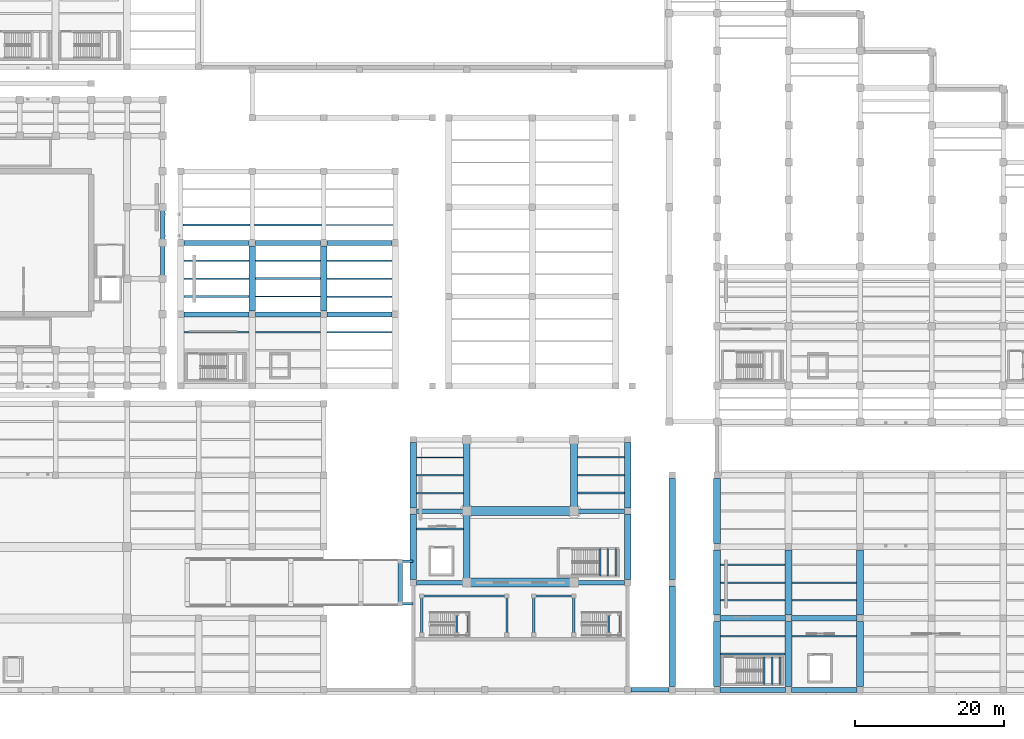
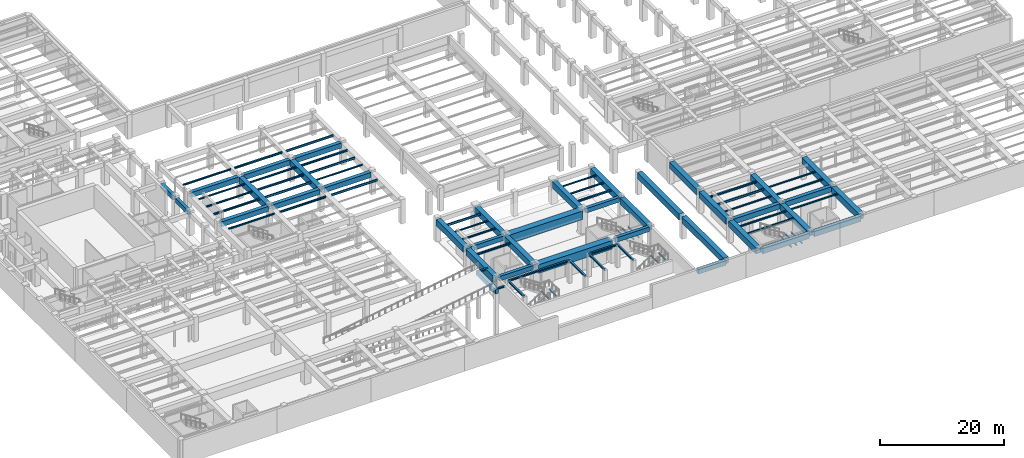
# One storey, part 16 of 45: 86 beams.
"""IFC4 building model written with IfcOpenShell, lengths in metres."""

from ifc_helpers import new_model, si_unit, direction, frame, origin, origin_2d, place, context, subcontext, project, spatial, rectangle, i_section, extrude, material, material_profile, profile_set, type_object, element, save


model = new_model("IFC4")

# Units and contexts
model_context = context("Model", 3, precision=1e-05, world=origin(), true_north=direction((0.0, 1.0)))
body_context = subcontext(model_context, "Body", "Model", "MODEL_VIEW")
ifc_project = project(units=[si_unit("LENGTHUNIT", "METRE"), si_unit("AREAUNIT", "SQUARE_METRE"), si_unit("VOLUMEUNIT", "CUBIC_METRE"), si_unit("PLANEANGLEUNIT", "RADIAN"), si_unit("MASSUNIT", "GRAM", prefix="KILO")], contexts=[model_context])

# Site, building, storey
site_placement = place(None, origin())
site = spatial("IfcSite", under=ifc_project, at=site_placement, CompositionType="ELEMENT")
building_placement = place(site_placement, origin())
building = spatial("IfcBuilding", under=site, at=building_placement, Name="Mavantir Sound Aquarium", CompositionType="ELEMENT")
storey_placement = place(building_placement, frame((0.0, 0.0, -4.800048828125)))
storey = spatial("IfcBuildingStorey", under=building, at=storey_placement, Name="B1", CompositionType="ELEMENT", Elevation=-4.800048828125)

# Beams
ifc_material_1 = material(Name="Concrete C40/50", Category="concrete")
ifc_material_profile_1 = material_profile(ifc_material_1, rectangle(XDim=0.60009765625, YDim=0.89990234375, at=origin_2d()), Name="RC 600X900")
ifc_profile_set_1 = profile_set([ifc_material_profile_1], Name="Concrete C40/50")
beam_type_1 = type_object("IfcBeamType", Name="BM-RC600X900-E", PredefinedType="BEAM", material=ifc_profile_set_1)
for number, where, z_axis, x_axis, name in (
    (1, (33.60009765625, 55.64990234375, 3.946044921875), (0.0, 1.0, 0.0), (-1.0, 0.0, 0.0), "B1 primary girder RCB-09 506"),
    (2, (33.60009765625, 60.449951171875, 3.946044921875), (0.0, 1.0, 0.0), (-1.0, 0.0, 0.0), "B1 primary girder RCB-09 507"),
):
    element("IfcBeam", number, at=place(storey_placement, frame(where, z_axis=z_axis, x_axis=x_axis)), inside=storey, type_object=beam_type_1, Name=name, PredefinedType="BEAM", context=body_context, shape_type="SweptSolid", body=[
        extrude(rectangle(XDim=0.60009765625, YDim=0.89990234375, at=origin_2d()), origin(), (0.0, 0.0, 1.0), 3.900146484375),
    ])
for number, where, z_axis, x_axis, name in (
    (3, (67.625, 14.39990234375, 4.046142578125), (1.0, 0.0, 0.0), (0.0, 1.0, 0.0), "B1 primary beam RCB-09 789"),
    (4, (89.25, 14.39990234375, 4.046142578125), (1.0, 0.0, 0.0), (0.0, 1.0, 0.0), "B1 primary beam RCB-09 790"),
):
    element("IfcBeam", number, at=place(storey_placement, frame(where, z_axis=z_axis, x_axis=x_axis)), inside=storey, type_object=beam_type_1, Name=name, PredefinedType="BEAM", context=body_context, shape_type="SweptSolid", body=[
        extrude(rectangle(XDim=0.60009765625, YDim=0.89990234375, at=origin_2d()), origin(), (0.0, 0.0, 1.0), 6.324951171875),
    ])
ifc_material_profile_2 = material_profile(ifc_material_1, rectangle(XDim=0.60009765625, YDim=0.89990234375, at=origin_2d()), Name="RC 600X900")
ifc_profile_set_2 = profile_set([ifc_material_profile_2], Name="Concrete C40/50")
beam_type_2 = type_object("IfcBeamType", Name="BM-RC600X900-I", PredefinedType="BEAM", material=ifc_profile_set_2)
beam_1_placement = place(storey_placement, frame((96.425048828125, 0.0, 4.046142578125), z_axis=(1.0, 0.0, 0.0), x_axis=(0.0, 1.0, 0.0)))
element("IfcBeam", 5, at=beam_1_placement, inside=storey, type_object=beam_type_2, Name="B1 primary beam RCB-09 420", PredefinedType="BEAM", context=body_context, shape_type="SweptSolid", body=[
    extrude(rectangle(XDim=0.60009765625, YDim=0.89990234375, at=origin_2d()), origin(), (0.0, 0.0, 1.0), 5.14990234375),
])
for number, where, z_axis, x_axis, name in (
    (6, (67.625, 24.0, 4.046142578125), (1.0, 0.0, 0.0), (0.0, 1.0, 0.0), "B1 primary beam RCB-09 791"),
    (7, (89.25, 24.0, 4.046142578125), (1.0, 0.0, 0.0), (0.0, 1.0, 0.0), "B1 primary beam RCB-09 792"),
):
    element("IfcBeam", number, at=place(storey_placement, frame(where, z_axis=z_axis, x_axis=x_axis)), inside=storey, type_object=beam_type_2, Name=name, PredefinedType="BEAM", context=body_context, shape_type="SweptSolid", body=[
        extrude(rectangle(XDim=0.60009765625, YDim=0.89990234375, at=origin_2d()), origin(), (0.0, 0.0, 1.0), 6.324951171875),
    ])
beam_2_placement = place(storey_placement, frame((65.5, 11.300048828125, 4.041015625), z_axis=(0.0, 1.0, 0.0), x_axis=(-1.0, 0.0, 0.0)))
element("IfcBeam", 8, at=beam_2_placement, inside=storey, type_object=beam_type_2, Name="Vehicle ramp support beam 4", PredefinedType="BEAM", context=body_context, shape_type="SweptSolid", body=[
    extrude(rectangle(XDim=0.60009765625, YDim=0.89990234375, at=origin_2d()), origin(), (0.0, 0.0, 1.0), 6.199951171875),
])
ifc_material_profile_3 = material_profile(ifc_material_1, rectangle(XDim=0.699951171875, YDim=1.0, at=origin_2d()), Name="RC 700X1000")
ifc_profile_set_3 = profile_set([ifc_material_profile_3], Name="Concrete C40/50")
beam_type_3 = type_object("IfcBeamType", Name="BM-RC700X1000-E", PredefinedType="BEAM", material=ifc_profile_set_3)
for number, where, z_axis, x_axis, name in (
    (9, (108.425048828125, 0.0, 3.946044921875), (1.0, 0.0, 0.0), (0.0, 1.0, 0.0), "B1 primary beam RCB-10 737"),
    (10, (118.02490234375, 0.0, 3.946044921875), (1.0, 0.0, 0.0), (0.0, 1.0, 0.0), "B1 primary beam RCB-10 738"),
):
    element("IfcBeam", number, at=place(storey_placement, frame(where, z_axis=z_axis, x_axis=x_axis)), inside=storey, type_object=beam_type_3, Name=name, PredefinedType="BEAM", context=body_context, shape_type="SweptSolid", body=[
        extrude(rectangle(XDim=0.699951171875, YDim=1.0, at=origin_2d()), origin(), (0.0, 0.0, 1.0), 8.75),
    ])
ifc_material_profile_4 = material_profile(ifc_material_1, rectangle(XDim=0.699951171875, YDim=1.0, at=origin_2d()), Name="RC 700X1000")
ifc_profile_set_4 = profile_set([ifc_material_profile_4], Name="Concrete C40/50")
beam_type_4 = type_object("IfcBeamType", Name="BM-RC700X1000-I", PredefinedType="BEAM", material=ifc_profile_set_4)
for number, where, z_axis, x_axis, name in (
    (11, (36.425048828125, 50.39990234375, 3.89599609375), (1.0, 0.0, 0.0), (0.0, 1.0, 0.0), "B1 primary beam RCB-10 514"),
    (12, (46.02490234375, 50.39990234375, 3.89599609375), (1.0, 0.0, 0.0), (0.0, 1.0, 0.0), "B1 primary beam RCB-10 515"),
    (13, (55.625, 50.39990234375, 3.89599609375), (1.0, 0.0, 0.0), (0.0, 1.0, 0.0), "B1 primary beam RCB-10 516"),
    (14, (36.425048828125, 60.0, 3.89599609375), (1.0, 0.0, 0.0), (0.0, 1.0, 0.0), "B1 primary beam RCB-10 517"),
    (15, (46.02490234375, 60.0, 3.89599609375), (1.0, 0.0, 0.0), (0.0, 1.0, 0.0), "B1 primary beam RCB-10 518"),
    (16, (55.625, 60.0, 3.89599609375), (1.0, 0.0, 0.0), (0.0, 1.0, 0.0), "B1 primary beam RCB-10 519"),
    (17, (108.425048828125, 9.60009765625, 3.946044921875), (1.0, 0.0, 0.0), (0.0, 1.0, 0.0), "B1 primary beam RCB-10 744"),
    (18, (118.02490234375, 9.60009765625, 3.946044921875), (1.0, 0.0, 0.0), (0.0, 1.0, 0.0), "B1 primary beam RCB-10 745"),
):
    element("IfcBeam", number, at=place(storey_placement, frame(where, z_axis=z_axis, x_axis=x_axis)), inside=storey, type_object=beam_type_4, Name=name, PredefinedType="BEAM", context=body_context, shape_type="SweptSolid", body=[
        extrude(rectangle(XDim=0.699951171875, YDim=1.0, at=origin_2d()), origin(), (0.0, 0.0, 1.0), 8.75),
    ])
ifc_material_profile_5 = material_profile(ifc_material_1, rectangle(XDim=0.89990234375, YDim=1.199951171875, at=origin_2d()), Name="RC 900X1200")
ifc_profile_set_5 = profile_set([ifc_material_profile_5], Name="Concrete C40/50")
beam_type_5 = type_object("IfcBeamType", Name="BM-RC900X1200-E", PredefinedType="BEAM", material=ifc_profile_set_5)
for number, where, z_axis, x_axis, name in (
    (19, (108.0, 0.425048828125, 3.845947265625), (0.0, 1.0, 0.0), (-1.0, 0.0, 0.0), "B1 primary girder RCB-12 765"),
    (20, (108.0, 10.02490234375, 3.845947265625), (0.0, 1.0, 0.0), (-1.0, 0.0, 0.0), "B1 primary girder RCB-12 766"),
    (21, (108.0, 19.625, 3.845947265625), (0.0, 1.0, 0.0), (-1.0, 0.0, 0.0), "B1 primary girder RCB-12 767"),
    (22, (67.199951171875, 14.824951171875, 3.89599609375), (0.0, 1.0, 0.0), (-1.0, 0.0, 0.0), "B1 primary girder RCB-12 797"),
    (23, (67.199951171875, 24.425048828125, 3.89599609375), (0.0, 1.0, 0.0), (-1.0, 0.0, 0.0), "B1 primary girder RCB-12 798"),
    (24, (96.0, 14.824951171875, 3.89599609375), (0.0, 1.0, 0.0), (-1.0, 0.0, 0.0), "B1 primary girder RCB-12 802"),
    (25, (96.0, 24.425048828125, 3.89599609375), (0.0, 1.0, 0.0), (-1.0, 0.0, 0.0), "B1 primary girder RCB-12 803"),
):
    element("IfcBeam", number, at=place(storey_placement, frame(where, z_axis=z_axis, x_axis=x_axis)), inside=storey, type_object=beam_type_5, Name=name, PredefinedType="BEAM", context=body_context, shape_type="SweptSolid", body=[
        extrude(rectangle(XDim=0.89990234375, YDim=1.199951171875, at=origin_2d()), origin(), (0.0, 0.0, 1.0), 8.75),
    ])
ifc_material_profile_6 = material_profile(ifc_material_1, rectangle(XDim=0.89990234375, YDim=1.199951171875, at=origin_2d()), Name="RC 900X1200")
ifc_profile_set_6 = profile_set([ifc_material_profile_6], Name="Concrete C40/50")
beam_type_6 = type_object("IfcBeamType", Name="BM-RC900X1200-I", PredefinedType="BEAM", material=ifc_profile_set_6)
for number, where, z_axis, x_axis, name in (
    (26, (102.0, 0.425048828125, 3.89599609375), (0.0, 1.0, 0.0), (-1.0, 0.0, 0.0), "B1 primary girder RCB-12 447"),
    (27, (102.0, 14.824951171875, 3.89599609375), (0.0, 1.0, 0.0), (-1.0, 0.0, 0.0), "B1 primary girder RCB-12 448"),
):
    element("IfcBeam", number, at=place(storey_placement, frame(where, z_axis=z_axis, x_axis=x_axis)), inside=storey, type_object=beam_type_6, Name=name, PredefinedType="BEAM", context=body_context, shape_type="SweptSolid", body=[
        extrude(rectangle(XDim=0.89990234375, YDim=1.199951171875, at=origin_2d()), origin(), (0.0, 0.0, 1.0), 13.550048828125),
    ])
for number, where, z_axis, x_axis, name in (
    (28, (45.60009765625, 50.824951171875, 3.796142578125), (0.0, 1.0, 0.0), (-1.0, 0.0, 0.0), "B1 primary girder RCB-12 527"),
    (29, (55.199951171875, 50.824951171875, 3.796142578125), (0.0, 1.0, 0.0), (-1.0, 0.0, 0.0), "B1 primary girder RCB-12 530"),
    (30, (117.60009765625, 0.425048828125, 3.845947265625), (0.0, 1.0, 0.0), (-1.0, 0.0, 0.0), "B1 primary girder RCB-12 768"),
    (31, (117.60009765625, 10.02490234375, 3.845947265625), (0.0, 1.0, 0.0), (-1.0, 0.0, 0.0), "B1 primary girder RCB-12 769"),
    (32, (127.199951171875, 0.425048828125, 3.845947265625), (0.0, 1.0, 0.0), (-1.0, 0.0, 0.0), "B1 primary girder RCB-12 771"),
    (33, (127.199951171875, 10.02490234375, 3.845947265625), (0.0, 1.0, 0.0), (-1.0, 0.0, 0.0), "B1 primary girder RCB-12 772"),
):
    element("IfcBeam", number, at=place(storey_placement, frame(where, z_axis=z_axis, x_axis=x_axis)), inside=storey, type_object=beam_type_6, Name=name, PredefinedType="BEAM", context=body_context, shape_type="SweptSolid", body=[
        extrude(rectangle(XDim=0.89990234375, YDim=1.199951171875, at=origin_2d()), origin(), (0.0, 0.0, 1.0), 8.75),
    ])
for number, where, z_axis, x_axis, name in (
    (34, (74.39990234375, 14.85009765625, 3.89599609375), (0.0, 1.0, 0.0), (-1.0, 0.0, 0.0), "B1 primary girder RCB-12 799"),
    (35, (74.39990234375, 24.449951171875, 3.89599609375), (0.0, 1.0, 0.0), (-1.0, 0.0, 0.0), "B1 primary girder RCB-12 800"),
    (36, (88.800048828125, 24.449951171875, 3.89599609375), (0.0, 1.0, 0.0), (-1.0, 0.0, 0.0), "B1 primary girder RCB-12 801"),
):
    element("IfcBeam", number, at=place(storey_placement, frame(where, z_axis=z_axis, x_axis=x_axis)), inside=storey, type_object=beam_type_6, Name=name, PredefinedType="BEAM", context=body_context, shape_type="SweptSolid", body=[
        extrude(rectangle(XDim=0.89990234375, YDim=1.199951171875, at=origin_2d()), origin(), (0.0, 0.0, 1.0), 8.699951171875),
    ])
ifc_material_profile_7 = material_profile(ifc_material_1, rectangle(XDim=1.199951171875, YDim=1.699951171875, at=origin_2d()), Name="RC 1200X1700")
ifc_profile_set_7 = profile_set([ifc_material_profile_7], Name="Concrete C40/50")
beam_type_7 = type_object("IfcBeamType", Name="BM-TG1700-I", PredefinedType="USERDEFINED", material=ifc_profile_set_7)
for number, where, z_axis, x_axis, name in (
    (37, (74.64990234375, 14.39990234375, 3.650146484375), (1.0, 0.0, 0.0), (0.0, 1.0, 0.0), "Transfer girder TG-3"),
    (38, (74.64990234375, 24.0, 3.650146484375), (1.0, 0.0, 0.0), (0.0, 1.0, 0.0), "Transfer girder TG-4"),
):
    element("IfcBeam", number, at=place(storey_placement, frame(where, z_axis=z_axis, x_axis=x_axis)), inside=storey, type_object=beam_type_7, Name=name, ObjectType="TRANSFER GIRDER", PredefinedType="USERDEFINED", context=body_context, shape_type="SweptSolid", body=[
        extrude(rectangle(XDim=1.199951171875, YDim=1.699951171875, at=origin_2d()), origin(), (0.0, 0.0, 1.0), 13.900146484375),
    ])
ifc_material_2 = material(Name="Structural Steel ASTM A992 Gr50", Category="steel")
ifc_material_profile_8 = material_profile(ifc_material_2, i_section(OverallWidth=0.202880859375, OverallDepth=0.202880859375, WebThickness=0.007080078125, FlangeThickness=0.010986328125, FilletRadius=0.010009765625, at=origin_2d()), Name="W200X46")
ifc_profile_set_8 = profile_set([ifc_material_profile_8], Name="Structural Steel ASTM A992 Gr50")
beam_type_8 = type_object("IfcBeamType", Name="BM-W200X46-E", PredefinedType="LINTEL", material=ifc_profile_set_8)
for number, where, z_axis, x_axis, name in (
    (39, (73.06005859375, 7.64990234375, 2.095458984375), (0.0, 1.0, 0.0), (-1.0, 0.0, 0.0), "Forecourt cascade ST13 mid-landing beam 163"),
    (40, (74.550048828125, 7.64990234375, 2.095458984375), (0.0, 1.0, 0.0), (-1.0, 0.0, 0.0), "Forecourt cascade ST13 mid-landing beam 164"),
    (41, (93.4599609375, 7.64990234375, 2.095458984375), (0.0, 1.0, 0.0), (-1.0, 0.0, 0.0), "Forecourt cascade ST14 mid-landing beam 165"),
    (42, (94.949951171875, 7.64990234375, 2.095458984375), (0.0, 1.0, 0.0), (-1.0, 0.0, 0.0), "Forecourt cascade ST14 mid-landing beam 166"),
):
    element("IfcBeam", number, at=place(storey_placement, frame(where, z_axis=z_axis, x_axis=x_axis)), inside=storey, type_object=beam_type_8, Name=name, PredefinedType="LINTEL", context=body_context, shape_type="SweptSolid", body=[
        extrude(i_section(OverallWidth=0.202880859375, OverallDepth=0.202880859375, WebThickness=0.007080078125, FlangeThickness=0.010986328125, FilletRadius=0.010009765625, at=origin_2d()), origin(), (0.0, 0.0, 1.0), 2.400146484375),
    ])
ifc_material_profile_9 = material_profile(ifc_material_2, i_section(OverallWidth=0.202880859375, OverallDepth=0.202880859375, WebThickness=0.007080078125, FlangeThickness=0.010986328125, FilletRadius=0.010009765625, at=origin_2d()), Name="W200X46")
ifc_profile_set_9 = profile_set([ifc_material_profile_9], Name="Structural Steel ASTM A992 Gr50")
beam_type_9 = type_object("IfcBeamType", Name="BM-W200X46-I", PredefinedType="LINTEL", material=ifc_profile_set_9)
for number, where, z_axis, x_axis, name in (
    (43, (114.35009765625, 0.72509765625, 2.095458984375), (0.0, 1.0, 0.0), (-1.0, 0.0, 0.0), "Stair ST6 landing support beam 127"),
    (44, (115.389892578125, 0.72509765625, 2.095458984375), (0.0, 1.0, 0.0), (-1.0, 0.0, 0.0), "Stair ST6 landing support beam 128"),
    (45, (116.429931640625, 0.72509765625, 2.095458984375), (0.0, 1.0, 0.0), (-1.0, 0.0, 0.0), "Stair ST6 landing support beam 129"),
):
    element("IfcBeam", number, at=place(storey_placement, frame(where, z_axis=z_axis, x_axis=x_axis)), inside=storey, type_object=beam_type_9, Name=name, PredefinedType="LINTEL", context=body_context, shape_type="SweptSolid", body=[
        extrude(i_section(OverallWidth=0.202880859375, OverallDepth=0.202880859375, WebThickness=0.007080078125, FlangeThickness=0.010986328125, FilletRadius=0.010009765625, at=origin_2d()), origin(), (0.0, 0.0, 1.0), 3.699951171875),
    ])
for number, where, z_axis, x_axis, name in (
    (46, (92.300048828125, 15.27490234375, 2.095458984375), (0.0, 1.0, 0.0), (-1.0, 0.0, 0.0), "Stair ST11 landing support beam 157"),
    (47, (93.340087890625, 15.27490234375, 2.095458984375), (0.0, 1.0, 0.0), (-1.0, 0.0, 0.0), "Stair ST11 landing support beam 158"),
    (48, (94.3798828125, 15.27490234375, 2.095458984375), (0.0, 1.0, 0.0), (-1.0, 0.0, 0.0), "Stair ST11 landing support beam 159"),
):
    element("IfcBeam", number, at=place(storey_placement, frame(where, z_axis=z_axis, x_axis=x_axis)), inside=storey, type_object=beam_type_9, Name=name, PredefinedType="LINTEL", context=body_context, shape_type="SweptSolid", body=[
        extrude(i_section(OverallWidth=0.202880859375, OverallDepth=0.202880859375, WebThickness=0.007080078125, FlangeThickness=0.010986328125, FilletRadius=0.010009765625, at=origin_2d()), origin(), (0.0, 0.0, 1.0), 3.7001953125),
    ])
ifc_material_profile_10 = material_profile(ifc_material_2, i_section(OverallWidth=0.202880859375, OverallDepth=0.251953125, WebThickness=0.008056640625, FlangeThickness=0.013427734375, FilletRadius=0.011962890625, at=origin_2d()), Name="W250X58")
ifc_profile_set_10 = profile_set([ifc_material_profile_10], Name="Structural Steel ASTM A992 Gr50")
beam_type_10 = type_object("IfcBeamType", Name="BM-W250X58-I", PredefinedType="JOIST", material=ifc_profile_set_10)
beam_3_placement = place(storey_placement, frame((36.449951171875, 57.60009765625, 4.27001953125), z_axis=(1.0, 0.0, 0.0), x_axis=(0.0, 1.0, 0.0)))
element("IfcBeam", 49, at=beam_3_placement, inside=storey, type_object=beam_type_10, Name="B1 secondary floor joist SJ-25 208", PredefinedType="JOIST", context=body_context, shape_type="SweptSolid", body=[
    extrude(i_section(OverallWidth=0.202880859375, OverallDepth=0.251953125, WebThickness=0.008056640625, FlangeThickness=0.013427734375, FilletRadius=0.011962890625, at=origin_2d()), origin(), (0.0, 0.0, 1.0), 8.699951171875),
])
beam_4_placement = place(storey_placement, frame((55.64990234375, 52.800048828125, 4.27001953125), z_axis=(1.0, 0.0, 0.0), x_axis=(0.0, 1.0, 0.0)))
element("IfcBeam", 50, at=beam_4_placement, inside=storey, type_object=beam_type_10, Name="B1 secondary floor joist SJ-25 212", PredefinedType="JOIST", context=body_context, shape_type="SweptSolid", body=[
    extrude(i_section(OverallWidth=0.202880859375, OverallDepth=0.251953125, WebThickness=0.008056640625, FlangeThickness=0.013427734375, FilletRadius=0.011962890625, at=origin_2d()), origin(), (0.0, 0.0, 1.0), 8.7001953125),
])
for number, where, z_axis, x_axis, name in (
    (51, (118.050048828125, 7.199951171875, 4.320068359375), (1.0, 0.0, 0.0), (0.0, 1.0, 0.0), "B1 secondary floor joist SJ-25 376"),
    (52, (108.449951171875, 12.0, 4.320068359375), (1.0, 0.0, 0.0), (0.0, 1.0, 0.0), "B1 secondary floor joist SJ-25 392"),
    (53, (118.050048828125, 14.39990234375, 4.320068359375), (1.0, 0.0, 0.0), (0.0, 1.0, 0.0), "B1 secondary floor joist SJ-25 396"),
):
    element("IfcBeam", number, at=place(storey_placement, frame(where, z_axis=z_axis, x_axis=x_axis)), inside=storey, type_object=beam_type_10, Name=name, PredefinedType="JOIST", context=body_context, shape_type="SweptSolid", body=[
        extrude(i_section(OverallWidth=0.202880859375, OverallDepth=0.251953125, WebThickness=0.008056640625, FlangeThickness=0.013427734375, FilletRadius=0.011962890625, at=origin_2d()), origin(), (0.0, 0.0, 1.0), 8.699951171875),
    ])
for number, where, z_axis, x_axis, name in (
    (54, (67.64990234375, 28.800048828125, 4.3701171875), (1.0, 0.0, 0.0), (0.0, 1.0, 0.0), "B1 secondary floor joist SJ-25 436"),
    (55, (89.25, 31.199951171875, 4.3701171875), (1.0, 0.0, 0.0), (0.0, 1.0, 0.0), "B1 secondary floor joist SJ-25 440"),
):
    element("IfcBeam", number, at=place(storey_placement, frame(where, z_axis=z_axis, x_axis=x_axis)), inside=storey, type_object=beam_type_10, Name=name, PredefinedType="JOIST", context=body_context, shape_type="SweptSolid", body=[
        extrude(i_section(OverallWidth=0.202880859375, OverallDepth=0.251953125, WebThickness=0.008056640625, FlangeThickness=0.013427734375, FilletRadius=0.011962890625, at=origin_2d()), origin(), (0.0, 0.0, 1.0), 6.300048828125),
    ])
ifc_material_profile_11 = material_profile(ifc_material_2, i_section(OverallWidth=0.205078125, OverallDepth=0.31005859375, WebThickness=0.009521484375, FlangeThickness=0.016357421875, FilletRadius=0.012939453125, at=origin_2d()), Name="W310X74")
ifc_profile_set_11 = profile_set([ifc_material_profile_11], Name="Structural Steel ASTM A992 Gr50")
beam_type_11 = type_object("IfcBeamType", Name="BM-W310X74-I", PredefinedType="JOIST", material=ifc_profile_set_11)
for number, where, z_axis, x_axis, name in (
    (56, (36.449951171875, 48.0, 4.240966796875), (1.0, 0.0, 0.0), (0.0, 1.0, 0.0), "B1 secondary floor joist SJ-31 199"),
    (57, (36.449951171875, 55.199951171875, 4.240966796875), (1.0, 0.0, 0.0), (0.0, 1.0, 0.0), "B1 secondary floor joist SJ-31 207"),
    (58, (46.050048828125, 57.60009765625, 4.240966796875), (1.0, 0.0, 0.0), (0.0, 1.0, 0.0), "B1 secondary floor joist SJ-31 211"),
):
    element("IfcBeam", number, at=place(storey_placement, frame(where, z_axis=z_axis, x_axis=x_axis)), inside=storey, type_object=beam_type_11, Name=name, PredefinedType="JOIST", context=body_context, shape_type="SweptSolid", body=[
        extrude(i_section(OverallWidth=0.205078125, OverallDepth=0.31005859375, WebThickness=0.009521484375, FlangeThickness=0.016357421875, FilletRadius=0.012939453125, at=origin_2d()), origin(), (0.0, 0.0, 1.0), 8.699951171875),
    ])
beam_5_placement = place(storey_placement, frame((36.300048828125, 62.39990234375, 4.240966796875), z_axis=(1.0, 0.0, 0.0), x_axis=(0.0, 1.0, 0.0)))
element("IfcBeam", 59, at=beam_5_placement, inside=storey, type_object=beam_type_11, Name="B1 secondary floor joist SJ-31 215", PredefinedType="JOIST", context=body_context, shape_type="SweptSolid", body=[
    extrude(i_section(OverallWidth=0.205078125, OverallDepth=0.31005859375, WebThickness=0.009521484375, FlangeThickness=0.016357421875, FilletRadius=0.012939453125, at=origin_2d()), origin(), (0.0, 0.0, 1.0), 9.0),
])
for number, where, z_axis, x_axis, name in (
    (60, (108.449951171875, 7.199951171875, 4.291015625), (1.0, 0.0, 0.0), (0.0, 1.0, 0.0), "B1 secondary floor joist SJ-31 375"),
    (61, (118.050048828125, 12.0, 4.291015625), (1.0, 0.0, 0.0), (0.0, 1.0, 0.0), "B1 secondary floor joist SJ-31 395"),
):
    element("IfcBeam", number, at=place(storey_placement, frame(where, z_axis=z_axis, x_axis=x_axis)), inside=storey, type_object=beam_type_11, Name=name, PredefinedType="JOIST", context=body_context, shape_type="SweptSolid", body=[
        extrude(i_section(OverallWidth=0.205078125, OverallDepth=0.31005859375, WebThickness=0.009521484375, FlangeThickness=0.016357421875, FilletRadius=0.012939453125, at=origin_2d()), origin(), (0.0, 0.0, 1.0), 8.699951171875),
    ])
for number, where, z_axis, x_axis, name in (
    (62, (67.64990234375, 26.39990234375, 4.341064453125), (1.0, 0.0, 0.0), (0.0, 1.0, 0.0), "B1 secondary floor joist SJ-31 435"),
    (63, (89.25, 28.800048828125, 4.341064453125), (1.0, 0.0, 0.0), (0.0, 1.0, 0.0), "B1 secondary floor joist SJ-31 439"),
):
    element("IfcBeam", number, at=place(storey_placement, frame(where, z_axis=z_axis, x_axis=x_axis)), inside=storey, type_object=beam_type_11, Name=name, PredefinedType="JOIST", context=body_context, shape_type="SweptSolid", body=[
        extrude(i_section(OverallWidth=0.205078125, OverallDepth=0.31005859375, WebThickness=0.009521484375, FlangeThickness=0.016357421875, FilletRadius=0.012939453125, at=origin_2d()), origin(), (0.0, 0.0, 1.0), 6.300048828125),
    ])
ifc_material_profile_12 = material_profile(ifc_material_2, i_section(OverallWidth=0.304931640625, OverallDepth=0.30810546875, WebThickness=0.010009765625, FlangeThickness=0.015380859375, FilletRadius=0.014892578125, at=origin_2d()), Name="W310X97")
ifc_profile_set_12 = profile_set([ifc_material_profile_12], Name="Structural Steel ASTM A992 Gr50")
beam_type_12 = type_object("IfcBeamType", Name="BM-W310X97-E", PredefinedType="SPANDREL", material=ifc_profile_set_12)
for number, where, z_axis, x_axis, name in (
    (64, (65.5, 11.550048828125, 4.342041015625), (1.0, 0.0, 0.0), (0.0, 1.0, 0.0), "Ramp apron header beam 1"),
    (65, (65.5, 17.25, 4.342041015625), (1.0, 0.0, 0.0), (0.0, 1.0, 0.0), "Ramp apron header beam 2"),
):
    element("IfcBeam", number, at=place(storey_placement, frame(where, z_axis=z_axis, x_axis=x_axis)), inside=storey, type_object=beam_type_12, Name=name, PredefinedType="SPANDREL", context=body_context, shape_type="SweptSolid", body=[
        extrude(i_section(OverallWidth=0.304931640625, OverallDepth=0.30810546875, WebThickness=0.010009765625, FlangeThickness=0.015380859375, FilletRadius=0.014892578125, at=origin_2d()), origin(), (0.0, 0.0, 1.0), 1.699951171875),
    ])
for number, where, z_axis, x_axis, name in (
    (66, (68.35009765625, 7.39990234375, 4.342041015625), (0.0, 1.0, 0.0), (-1.0, 0.0, 0.0), "Forecourt cascade ST13 west girder"),
    (67, (79.800048828125, 7.39990234375, 4.342041015625), (0.0, 1.0, 0.0), (-1.0, 0.0, 0.0), "Forecourt cascade ST13 east girder"),
):
    element("IfcBeam", number, at=place(storey_placement, frame(where, z_axis=z_axis, x_axis=x_axis)), inside=storey, type_object=beam_type_12, Name=name, PredefinedType="SPANDREL", context=body_context, shape_type="SweptSolid", body=[
        extrude(i_section(OverallWidth=0.304931640625, OverallDepth=0.30810546875, WebThickness=0.010009765625, FlangeThickness=0.015380859375, FilletRadius=0.014892578125, at=origin_2d()), origin(), (0.0, 0.0, 1.0), 5.2001953125),
    ])
beam_6_placement = place(storey_placement, frame((68.35009765625, 12.60009765625, 4.342041015625), z_axis=(1.0, 0.0, 0.0), x_axis=(0.0, 1.0, 0.0)))
element("IfcBeam", 68, at=beam_6_placement, inside=storey, type_object=beam_type_12, Name="Forecourt cascade ST13 north girder", PredefinedType="SPANDREL", context=body_context, shape_type="SweptSolid", body=[
    extrude(i_section(OverallWidth=0.304931640625, OverallDepth=0.30810546875, WebThickness=0.010009765625, FlangeThickness=0.015380859375, FilletRadius=0.014892578125, at=origin_2d()), origin(), (0.0, 0.0, 1.0), 11.449951171875),
])
for number, where, z_axis, x_axis, name in (
    (69, (88.75, 7.39990234375, 4.342041015625), (0.0, 1.0, 0.0), (-1.0, 0.0, 0.0), "Forecourt cascade ST14 west girder"),
    (70, (83.39990234375, 7.39990234375, 4.342041015625), (0.0, 1.0, 0.0), (-1.0, 0.0, 0.0), "Forecourt cascade ST14 east girder"),
):
    element("IfcBeam", number, at=place(storey_placement, frame(where, z_axis=z_axis, x_axis=x_axis)), inside=storey, type_object=beam_type_12, Name=name, PredefinedType="SPANDREL", context=body_context, shape_type="SweptSolid", body=[
        extrude(i_section(OverallWidth=0.304931640625, OverallDepth=0.30810546875, WebThickness=0.010009765625, FlangeThickness=0.015380859375, FilletRadius=0.014892578125, at=origin_2d()), origin(), (0.0, 0.0, 1.0), 5.2001953125),
    ])
beam_7_placement = place(storey_placement, frame((83.39990234375, 12.60009765625, 4.342041015625), z_axis=(1.0, 0.0, 0.0), x_axis=(0.0, 1.0, 0.0)))
element("IfcBeam", 71, at=beam_7_placement, inside=storey, type_object=beam_type_12, Name="Forecourt cascade ST14 north girder", PredefinedType="SPANDREL", context=body_context, shape_type="SweptSolid", body=[
    extrude(i_section(OverallWidth=0.304931640625, OverallDepth=0.30810546875, WebThickness=0.010009765625, FlangeThickness=0.015380859375, FilletRadius=0.014892578125, at=origin_2d()), origin(), (0.0, 0.0, 1.0), 5.35009765625),
])
ifc_material_profile_13 = material_profile(ifc_material_2, i_section(OverallWidth=0.25390625, OverallDepth=0.35302734375, WebThickness=0.009521484375, FlangeThickness=0.016357421875, FilletRadius=0.014892578125, at=origin_2d()), Name="W360X91")
ifc_profile_set_13 = profile_set([ifc_material_profile_13], Name="Structural Steel ASTM A992 Gr50")
beam_type_13 = type_object("IfcBeamType", Name="BM-W360X91-I", PredefinedType="JOIST", material=ifc_profile_set_13)
for number, where, z_axis, x_axis, name in (
    (72, (46.050048828125, 48.0, 4.219482421875), (1.0, 0.0, 0.0), (0.0, 1.0, 0.0), "B1 secondary floor joist SJ-36 202"),
    (73, (36.449951171875, 52.800048828125, 4.219482421875), (1.0, 0.0, 0.0), (0.0, 1.0, 0.0), "B1 secondary floor joist SJ-36 206"),
    (74, (46.050048828125, 55.199951171875, 4.219482421875), (1.0, 0.0, 0.0), (0.0, 1.0, 0.0), "B1 secondary floor joist SJ-36 210"),
):
    element("IfcBeam", number, at=place(storey_placement, frame(where, z_axis=z_axis, x_axis=x_axis)), inside=storey, type_object=beam_type_13, Name=name, PredefinedType="JOIST", context=body_context, shape_type="SweptSolid", body=[
        extrude(i_section(OverallWidth=0.25390625, OverallDepth=0.35302734375, WebThickness=0.009521484375, FlangeThickness=0.016357421875, FilletRadius=0.014892578125, at=origin_2d()), origin(), (0.0, 0.0, 1.0), 8.699951171875),
    ])
beam_8_placement = place(storey_placement, frame((55.64990234375, 57.60009765625, 4.219482421875), z_axis=(1.0, 0.0, 0.0), x_axis=(0.0, 1.0, 0.0)))
element("IfcBeam", 75, at=beam_8_placement, inside=storey, type_object=beam_type_13, Name="B1 secondary floor joist SJ-36 214", PredefinedType="JOIST", context=body_context, shape_type="SweptSolid", body=[
    extrude(i_section(OverallWidth=0.25390625, OverallDepth=0.35302734375, WebThickness=0.009521484375, FlangeThickness=0.016357421875, FilletRadius=0.014892578125, at=origin_2d()), origin(), (0.0, 0.0, 1.0), 8.7001953125),
])
beam_9_placement = place(storey_placement, frame((45.89990234375, 62.39990234375, 4.219482421875), z_axis=(1.0, 0.0, 0.0), x_axis=(0.0, 1.0, 0.0)))
element("IfcBeam", 76, at=beam_9_placement, inside=storey, type_object=beam_type_13, Name="B1 secondary floor joist SJ-36 218", PredefinedType="JOIST", context=body_context, shape_type="SweptSolid", body=[
    extrude(i_section(OverallWidth=0.25390625, OverallDepth=0.35302734375, WebThickness=0.009521484375, FlangeThickness=0.016357421875, FilletRadius=0.014892578125, at=origin_2d()), origin(), (0.0, 0.0, 1.0), 9.0),
])
for number, where, z_axis, x_axis, name in (
    (77, (108.449951171875, 4.800048828125, 4.26953125), (1.0, 0.0, 0.0), (0.0, 1.0, 0.0), "B1 secondary floor joist SJ-36 374"),
    (78, (108.449951171875, 16.800048828125, 4.26953125), (1.0, 0.0, 0.0), (0.0, 1.0, 0.0), "B1 secondary floor joist SJ-36 394"),
):
    element("IfcBeam", number, at=place(storey_placement, frame(where, z_axis=z_axis, x_axis=x_axis)), inside=storey, type_object=beam_type_13, Name=name, PredefinedType="JOIST", context=body_context, shape_type="SweptSolid", body=[
        extrude(i_section(OverallWidth=0.25390625, OverallDepth=0.35302734375, WebThickness=0.009521484375, FlangeThickness=0.016357421875, FilletRadius=0.014892578125, at=origin_2d()), origin(), (0.0, 0.0, 1.0), 8.699951171875),
    ])
for number, where, z_axis, x_axis, name in (
    (79, (67.64990234375, 21.60009765625, 4.319580078125), (1.0, 0.0, 0.0), (0.0, 1.0, 0.0), "B1 secondary floor joist SJ-36 434"),
    (80, (89.25, 26.39990234375, 4.319580078125), (1.0, 0.0, 0.0), (0.0, 1.0, 0.0), "B1 secondary floor joist SJ-36 438"),
):
    element("IfcBeam", number, at=place(storey_placement, frame(where, z_axis=z_axis, x_axis=x_axis)), inside=storey, type_object=beam_type_13, Name=name, PredefinedType="JOIST", context=body_context, shape_type="SweptSolid", body=[
        extrude(i_section(OverallWidth=0.25390625, OverallDepth=0.35302734375, WebThickness=0.009521484375, FlangeThickness=0.016357421875, FilletRadius=0.014892578125, at=origin_2d()), origin(), (0.0, 0.0, 1.0), 6.300048828125),
    ])
ifc_material_profile_14 = material_profile(ifc_material_2, i_section(OverallWidth=0.180908203125, OverallDepth=0.4169921875, WebThickness=0.010986328125, FlangeThickness=0.018310546875, FilletRadius=0.014892578125, at=origin_2d()), Name="W410X85")
ifc_profile_set_14 = profile_set([ifc_material_profile_14], Name="Structural Steel ASTM A992 Gr50")
beam_type_14 = type_object("IfcBeamType", Name="BM-W410X85-I", PredefinedType="JOIST", material=ifc_profile_set_14)
beam_10_placement = place(storey_placement, frame((55.64990234375, 48.0, 4.1875), z_axis=(1.0, 0.0, 0.0), x_axis=(0.0, 1.0, 0.0)))
element("IfcBeam", 81, at=beam_10_placement, inside=storey, type_object=beam_type_14, Name="B1 secondary floor joist SJ-41 205", PredefinedType="JOIST", context=body_context, shape_type="SweptSolid", body=[
    extrude(i_section(OverallWidth=0.180908203125, OverallDepth=0.4169921875, WebThickness=0.010986328125, FlangeThickness=0.018310546875, FilletRadius=0.014892578125, at=origin_2d()), origin(), (0.0, 0.0, 1.0), 8.7001953125),
])
beam_11_placement = place(storey_placement, frame((46.050048828125, 52.800048828125, 4.1875), z_axis=(1.0, 0.0, 0.0), x_axis=(0.0, 1.0, 0.0)))
element("IfcBeam", 82, at=beam_11_placement, inside=storey, type_object=beam_type_14, Name="B1 secondary floor joist SJ-41 209", PredefinedType="JOIST", context=body_context, shape_type="SweptSolid", body=[
    extrude(i_section(OverallWidth=0.180908203125, OverallDepth=0.4169921875, WebThickness=0.010986328125, FlangeThickness=0.018310546875, FilletRadius=0.014892578125, at=origin_2d()), origin(), (0.0, 0.0, 1.0), 8.699951171875),
])
beam_12_placement = place(storey_placement, frame((55.64990234375, 55.199951171875, 4.1875), z_axis=(1.0, 0.0, 0.0), x_axis=(0.0, 1.0, 0.0)))
element("IfcBeam", 83, at=beam_12_placement, inside=storey, type_object=beam_type_14, Name="B1 secondary floor joist SJ-41 213", PredefinedType="JOIST", context=body_context, shape_type="SweptSolid", body=[
    extrude(i_section(OverallWidth=0.180908203125, OverallDepth=0.4169921875, WebThickness=0.010986328125, FlangeThickness=0.018310546875, FilletRadius=0.014892578125, at=origin_2d()), origin(), (0.0, 0.0, 1.0), 8.7001953125),
])
beam_13_placement = place(storey_placement, frame((55.5, 62.39990234375, 4.1875), z_axis=(1.0, 0.0, 0.0), x_axis=(0.0, 1.0, 0.0)))
element("IfcBeam", 84, at=beam_13_placement, inside=storey, type_object=beam_type_14, Name="B1 secondary floor joist SJ-41 221", PredefinedType="JOIST", context=body_context, shape_type="SweptSolid", body=[
    extrude(i_section(OverallWidth=0.180908203125, OverallDepth=0.4169921875, WebThickness=0.010986328125, FlangeThickness=0.018310546875, FilletRadius=0.014892578125, at=origin_2d()), origin(), (0.0, 0.0, 1.0), 9.0),
])
beam_14_placement = place(storey_placement, frame((108.449951171875, 14.39990234375, 4.237548828125), z_axis=(1.0, 0.0, 0.0), x_axis=(0.0, 1.0, 0.0)))
element("IfcBeam", 85, at=beam_14_placement, inside=storey, type_object=beam_type_14, Name="B1 secondary floor joist SJ-41 393", PredefinedType="JOIST", context=body_context, shape_type="SweptSolid", body=[
    extrude(i_section(OverallWidth=0.180908203125, OverallDepth=0.4169921875, WebThickness=0.010986328125, FlangeThickness=0.018310546875, FilletRadius=0.014892578125, at=origin_2d()), origin(), (0.0, 0.0, 1.0), 8.699951171875),
])
beam_15_placement = place(storey_placement, frame((67.64990234375, 31.199951171875, 4.28759765625), z_axis=(1.0, 0.0, 0.0), x_axis=(0.0, 1.0, 0.0)))
element("IfcBeam", 86, at=beam_15_placement, inside=storey, type_object=beam_type_14, Name="B1 secondary floor joist SJ-41 437", PredefinedType="JOIST", context=body_context, shape_type="SweptSolid", body=[
    extrude(i_section(OverallWidth=0.180908203125, OverallDepth=0.4169921875, WebThickness=0.010986328125, FlangeThickness=0.018310546875, FilletRadius=0.014892578125, at=origin_2d()), origin(), (0.0, 0.0, 1.0), 6.300048828125),
])

save(model, "model.ifc")
